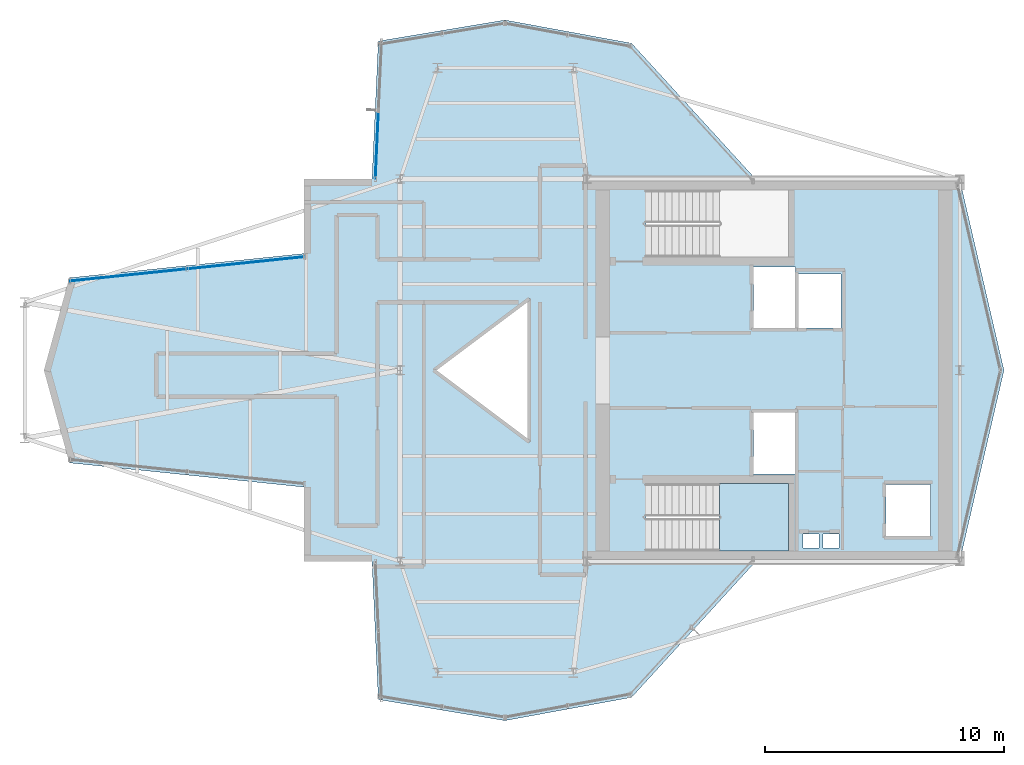
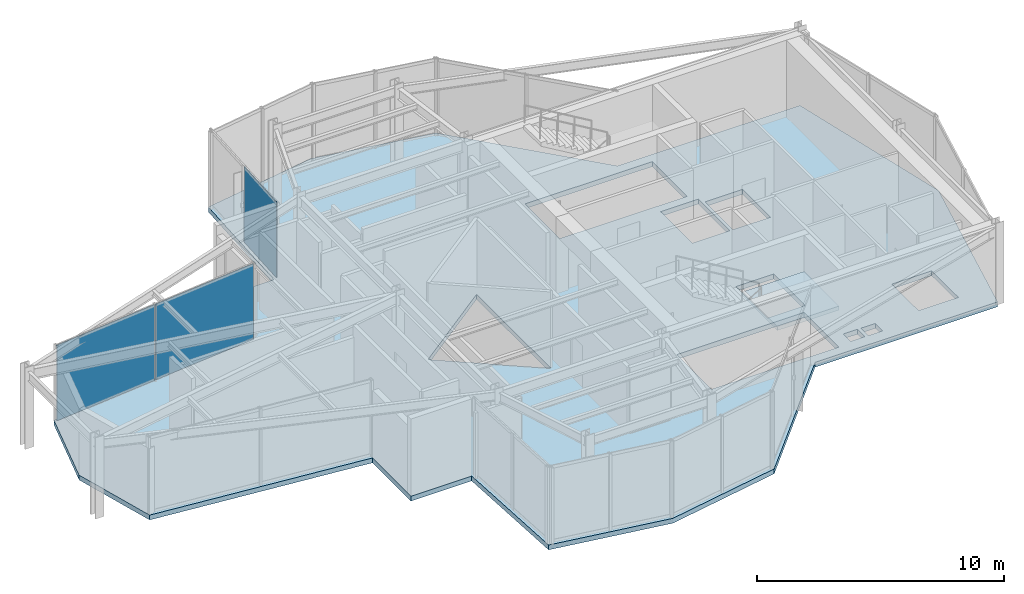
# One storey, part 9 of 13: 3 plates, 2 slabs, 3 elements without a shape of their own.
"""IFC4 building model written with IfcOpenShell, lengths in metres."""

from ifc_helpers import new_model, si_unit, direction, frame, origin, origin_2d, place, context, subcontext, project, spatial, polyline, rectangle, outline, extrude, material, layer, layer_set, type_object, element, aggregate, save


model = new_model("IFC4")

# Units and contexts
model_context = context("Model", 3, precision=1e-05, world=origin(), true_north=direction((0.0, 1.0)))
body_context = subcontext(model_context, "Body", "Model", "MODEL_VIEW")
ifc_project = project(units=[si_unit("LENGTHUNIT", "METRE"), si_unit("AREAUNIT", "SQUARE_METRE"), si_unit("VOLUMEUNIT", "CUBIC_METRE"), si_unit("PLANEANGLEUNIT", "RADIAN"), si_unit("MASSUNIT", "GRAM", prefix="KILO")], contexts=[model_context])

# Site, building, storey
site_placement = place(None, origin())
site = spatial("IfcSite", under=ifc_project, at=site_placement, CompositionType="ELEMENT")
building_placement = place(site_placement, origin())
building = spatial("IfcBuilding", under=site, at=building_placement, Name="Veymaron Broadcast Tower", CompositionType="ELEMENT")
storey_placement = place(building_placement, frame((0.0, 0.0, 279.0)))
storey = spatial("IfcBuildingStorey", under=building, at=storey_placement, Name="L65", CompositionType="ELEMENT", Elevation=279.0)

# Curtain wall, plate
ifc_material_1 = material(Name="Anodised aluminium AA 6063-T6 and laminated low-E dark glass", Category="aluminium")
ifc_layer_1 = layer(ifc_material_1, 0.179931640625)
ifc_layer_set_1 = layer_set([ifc_layer_1], Name="Anodised aluminium AA 6063-T6 and laminated low-E dark glass")
curtain_wall_type = type_object("IfcCurtainWallType", Name="CW-SYS-06", PredefinedType="NOTDEFINED", material=ifc_layer_set_1)
curtain_wall_1_placement = place(storey_placement, origin())
curtain_wall_1 = element("IfcCurtainWall", 1, at=curtain_wall_1_placement, inside=storey, type_object=curtain_wall_type, Name="L65 dark-glass curtain wall CW-L65-E8-1", PredefinedType="NOTDEFINED")
ifc_material_2 = material(Name="Insulated dark-anodised aluminium spandrel panel 40 mm", Category="aluminium")
ifc_layer_2 = layer(ifc_material_2, 0.0400390625)
ifc_layer_set_2 = layer_set([ifc_layer_2], Name="Insulated dark-anodised aluminium spandrel panel 40 mm")
plate_type = type_object("IfcPlateType", Name="CW-PNL-03", PredefinedType="CURTAIN_PANEL", material=ifc_layer_set_2)
plate_1_placement = place(storey_placement, frame((30.2275390625, 33.435791015625, 0.0400390625), z_axis=(0.0, 0.0, 1.0), x_axis=(-0.045502470291, -0.998964226185, 0.0)))
plate_1 = element("IfcPlate", 2, at=plate_1_placement, type_object=plate_type, Name="CW-L65-E8-1 unitised curtain panel 1", PredefinedType="CURTAIN_PANEL", context=body_context, shape_type="SweptSolid", body=[
    extrude(rectangle(XDim=2.82763671875, YDim=0.0400390625, at=origin_2d()), origin(), (0.0, 0.0, 1.0), 3.72998046875),
])
aggregate(curtain_wall_1, [plate_1])

# Curtain wall, plates
curtain_wall_2_placement = place(storey_placement, origin())
curtain_wall_2 = element("IfcCurtainWall", 3, at=curtain_wall_2_placement, inside=storey, type_object=curtain_wall_type, Name="L65 dark-glass curtain wall CW-L65-E11-1", PredefinedType="NOTDEFINED")
plate_2_placement = place(storey_placement, frame((24.74365234375, 28.492919921875, 0.0400390625), z_axis=(0.0, 0.0, 1.0), x_axis=(-0.994701022897, -0.102809897611, 0.0)))
plate_2 = element("IfcPlate", 4, at=plate_2_placement, type_object=plate_type, Name="CW-L65-E11-1 unitised curtain panel 0", PredefinedType="CURTAIN_PANEL", context=body_context, shape_type="SweptSolid", body=[
    extrude(rectangle(XDim=4.87890625, YDim=0.0400390625, at=origin_2d()), origin(), (0.0, 0.0, 1.0), 3.72998046875),
])
plate_3_placement = place(storey_placement, frame((19.830810546875, 27.985107421875, 0.0400390625), z_axis=(0.0, 0.0, 1.0), x_axis=(-0.994701022897, -0.102809897611, 0.0)))
plate_3 = element("IfcPlate", 5, at=plate_3_placement, type_object=plate_type, Name="CW-L65-E11-1 unitised curtain panel 1", PredefinedType="CURTAIN_PANEL", context=body_context, shape_type="SweptSolid", body=[
    extrude(rectangle(XDim=4.87890625, YDim=0.0400390625, at=origin_2d()), origin(), (0.0, 0.0, 1.0), 3.72998046875),
])
aggregate(curtain_wall_2, [plate_2, plate_3])

# Slab
ifc_material_3 = material(Name="Concrete C40/50", Category="concrete")
ifc_layer_3 = layer(ifc_material_3, 0.239990234375)
ifc_layer_set_3 = layer_set([ifc_layer_3], Name="Concrete C40/50")
slab_type_1 = type_object("IfcSlabType", Name="SLAB-FS6", PredefinedType="FLOOR", material=ifc_layer_set_3)
slab_1_placement = place(storey_placement, frame((0.0, 0.0, -0.239990234375)))
element("IfcSlab", 6, at=slab_1_placement, inside=storey, type_object=slab_type_1, Name="L65 structural floor slab", PredefinedType="FLOOR", context=body_context, shape_type="SweptSolid", body=[
    extrude(outline(polyline([(46.06884765625, 16.0), (54.60009765625, 16.0), (56.456298828125, 24.0), (54.60009765625, 32.0), (46.06884765625, 32.0), (40.877685546875, 37.680908203125), (35.581298828125, 38.6533203125), (30.284912109375, 37.769287109375), (30.02197265625, 32.0), (27.185546875, 32.0), (27.185546875, 28.885986328125), (17.360107421875, 27.87060546875), (16.29931640625, 24.0), (17.360107421875, 20.12939453125), (27.185546875, 19.114013671875), (27.185546875, 16.0), (30.02197265625, 16.0), (30.284912109375, 10.230712890625), (35.581298828125, 9.3466796875), (40.877685546875, 10.319091796875), (46.06884765625, 16.0)]), holes=[polyline([(45.969970703125, 28.330078125), (47.72998046875, 28.330078125), (47.72998046875, 25.77001953125), (45.969970703125, 25.77001953125), (45.969970703125, 28.330078125)]), polyline([(45.969970703125, 22.22998046875), (47.72998046875, 22.22998046875), (47.72998046875, 19.669921875), (45.969970703125, 19.669921875), (45.969970703125, 22.22998046875)]), polyline([(47.8701171875, 28.030029296875), (49.6298828125, 28.030029296875), (49.6298828125, 25.77001953125), (47.8701171875, 25.77001953125), (47.8701171875, 28.030029296875)]), polyline([(51.52001953125, 19.22998046875), (53.3798828125, 19.22998046875), (53.3798828125, 17.070068359375), (51.52001953125, 17.070068359375), (51.52001953125, 19.22998046875)]), polyline([(48.050048828125, 17.159912109375), (48.719970703125, 17.159912109375), (48.719970703125, 16.56005859375), (48.050048828125, 16.56005859375), (48.050048828125, 17.159912109375)]), polyline([(48.8798828125, 17.159912109375), (49.550048828125, 17.159912109375), (49.550048828125, 16.56005859375), (48.8798828125, 16.56005859375), (48.8798828125, 17.159912109375)]), polyline([(36.60009765625, 27.0), (36.60009765625, 21.0), (32.60009765625, 24.0), (36.60009765625, 27.0)]), polyline([(41.489990234375, 31.550048828125), (47.43994140625, 31.550048828125), (47.43994140625, 28.72998046875), (41.489990234375, 28.72998046875), (41.489990234375, 31.550048828125)]), polyline([(41.489990234375, 19.27001953125), (47.43994140625, 19.27001953125), (47.43994140625, 16.449951171875), (41.489990234375, 16.449951171875), (41.489990234375, 19.27001953125)])]), origin(), (0.0, 0.0, 1.0), 0.239990234375),
])

# Stair, slab
ifc_material_4 = material(Name="Concrete C50/60", Category="concrete")
stair_type = type_object("IfcStairType", Name="STAIR-CORE-2", PredefinedType="HALF_TURN_STAIR", material=ifc_material_4)
stair_placement = place(storey_placement, origin())
stair = element("IfcStair", 7, at=stair_placement, inside=storey, type_object=stair_type, Name="L65 South protected dog-leg exit stair ST2", PredefinedType="HALF_TURN_STAIR")
ifc_layer_4 = layer(ifc_material_4, 0.199951171875)
ifc_layer_set_4 = layer_set([ifc_layer_4], Name="Concrete C50/60")
slab_type_2 = type_object("IfcSlabType", Name="SLAB-STAIR-LDG", PredefinedType="LANDING", material=ifc_layer_set_4)
slab_2_placement = place(storey_placement, frame((0.0, 0.0, 1.824951171875)))
slab_2 = element("IfcSlab", 8, at=slab_2_placement, type_object=slab_type_2, Name="ST2 landing 1", PredefinedType="LANDING", context=body_context, shape_type="SweptSolid", body=[
    extrude(outline(polyline([(44.56494140625, 16.449951171875), (47.43994140625, 16.449951171875), (47.43994140625, 19.27001953125), (44.56494140625, 19.27001953125), (44.56494140625, 16.449951171875)])), origin(), (0.0, 0.0, 1.0), 0.199951171875),
])
aggregate(stair, [slab_2])

save(model, "model.ifc")
